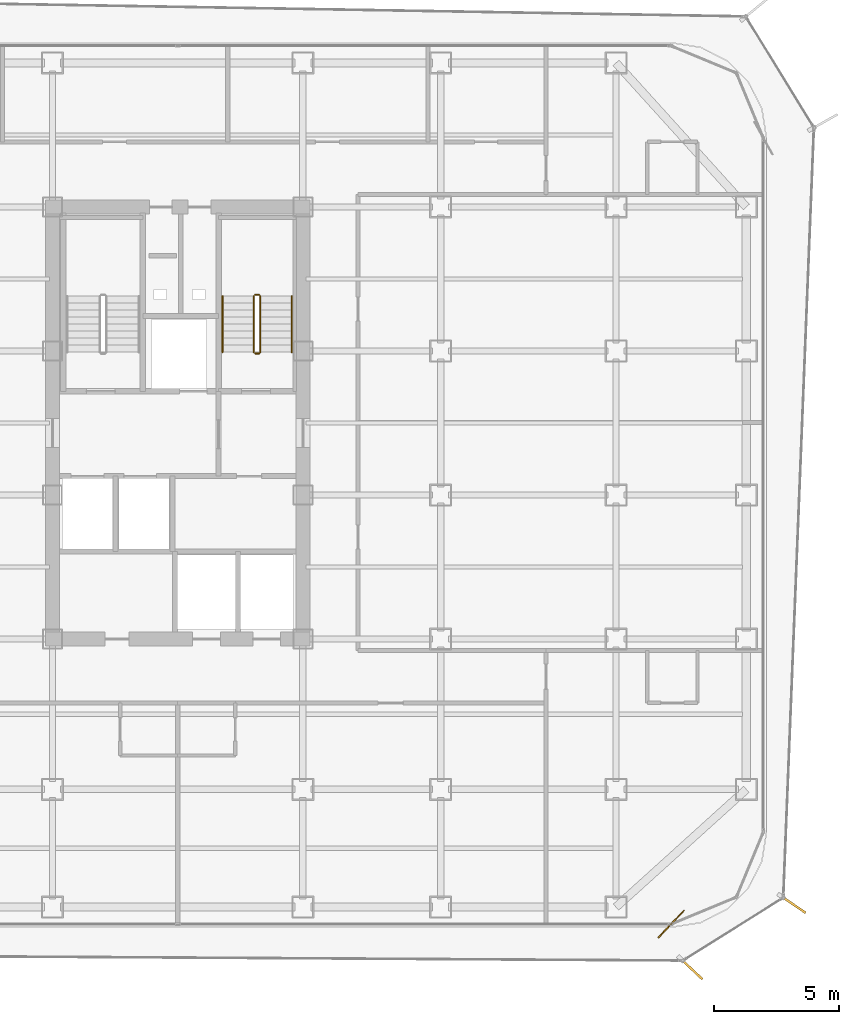
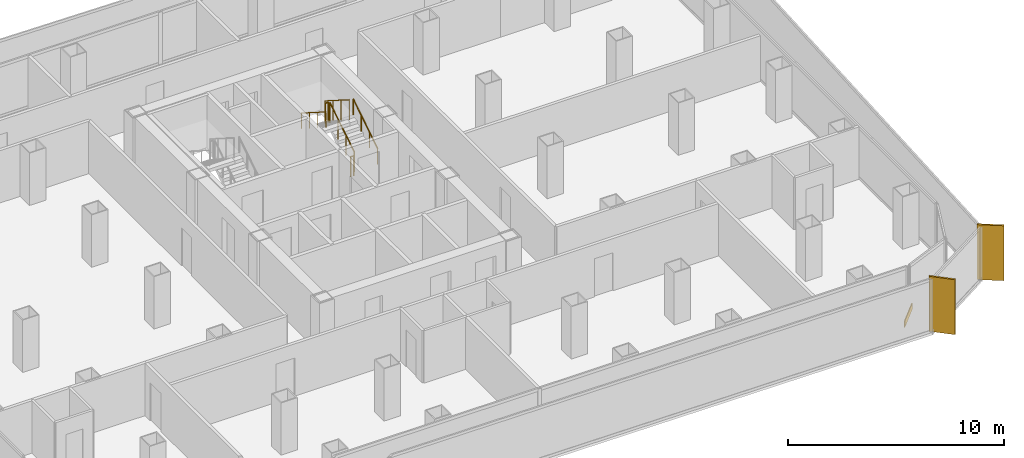
# One storey, part 20 of 21: 6 railings, 2 shading devices, 1 covering.
"""IFC4 building model written with IfcOpenShell, lengths in metres."""

import ifcopenshell
import ifcopenshell.guid

model = None  # the IFC model being written
_history = None  # IfcOwnerHistory: only IFC2X3 demands one
_inside = {}  # id of a spatial element -> (the spatial element, [elements in it])
_under = {}  # id of a project, library or spatial element -> (it, [spatial elements below it])
_declared = {}  # id of a project -> (the project, [libraries it declares])
_typed = {}  # id of a type object -> (the type object, [elements of that type])
_made_of = {}  # id of a material, layer set ... -> (it, [elements and type objects made of it])


def new_model(schema):
    """Start an empty IFC model of exactly this schema.

    Asked for "IFC4X3", IfcOpenShell would pick the latest addendum, in which some entities
    have other attributes; the version numbers below select the first issue.
    IFC2X3 requires an IfcOwnerHistory on every rooted entity: one is made here for all.
    """
    global model, _history
    if schema == "IFC4X3":
        model = ifcopenshell.file(schema_version=(4, 3, 0, 0))
    else:
        model = ifcopenshell.file(schema=schema)
    _inside.clear()
    _under.clear()
    _declared.clear()
    _typed.clear()
    _made_of.clear()
    _history = None
    if model.schema == "IFC2X3":
        org = make("IfcOrganization", Name="unknown")
        user = make(
            "IfcPersonAndOrganization",
            ThePerson=make("IfcPerson", FamilyName="unknown"),
            TheOrganization=org,
        )
        app = make(
            "IfcApplication",
            ApplicationDeveloper=org,
            Version="unknown",
            ApplicationFullName="unknown",
            ApplicationIdentifier="unknown",
        )
        _history = make(
            "IfcOwnerHistory",
            OwningUser=user,
            OwningApplication=app,
            ChangeAction="ADDED",
            CreationDate=0,
        )
    return model


def make(cls, **values):
    """One entity of the class cls with the attributes given. An attribute that is None is left unset."""
    return model.create_entity(
        cls, **{name: value for name, value in values.items() if value is not None}
    )


def rooted(cls, **values):
    """An entity with a GlobalId (a new one), such as an element, a storey or a relation."""
    return make(cls, GlobalId=ifcopenshell.guid.new(), OwnerHistory=_history, **values)


def si_unit(unit_type, name, prefix=None):
    """IfcSIUnit, for example si_unit("LENGTHUNIT", "METRE", prefix="MILLI")."""
    return make("IfcSIUnit", UnitType=unit_type, Prefix=prefix, Name=name)


def assignment(units):
    """IfcUnitAssignment: the units of a project."""
    return None if units is None else make("IfcUnitAssignment", Units=units)


def point(xyz):
    """IfcCartesianPoint."""
    return None if xyz is None else make("IfcCartesianPoint", Coordinates=xyz)


def direction(xyz):
    """IfcDirection."""
    return None if xyz is None else make("IfcDirection", DirectionRatios=xyz)


def frame(location, z_axis=None, x_axis=None):
    """IfcAxis2Placement3D, a coordinate frame: its origin and axes. An axis left out is left unset."""
    return make(
        "IfcAxis2Placement3D",
        Location=point(location),
        Axis=direction(z_axis),
        RefDirection=direction(x_axis),
    )


def frame_2d(location, x_axis=None):
    """IfcAxis2Placement2D, a coordinate frame in the plane: its origin and x axis."""
    return make(
        "IfcAxis2Placement2D", Location=point(location), RefDirection=direction(x_axis)
    )


def origin():
    """The frame at (0, 0, 0) with its axes left unset."""
    return frame((0.0, 0.0, 0.0))


def origin_2d():
    """The frame at (0, 0) in the plane with its x axis left unset."""
    return frame_2d((0.0, 0.0))


def place(relative_to, where):
    """IfcLocalPlacement: puts the frame where relative to a parent placement (None: the world)."""
    return make(
        "IfcLocalPlacement", PlacementRelTo=relative_to, RelativePlacement=where
    )


def context(
    kind, dimensions, precision=None, world=None, true_north=None, identifier=None
):
    """IfcGeometricRepresentationContext, for example the 3D "Model" context."""
    return make(
        "IfcGeometricRepresentationContext",
        ContextIdentifier=identifier,
        ContextType=kind,
        CoordinateSpaceDimension=dimensions,
        Precision=precision,
        WorldCoordinateSystem=world,
        TrueNorth=true_north,
    )


def subcontext(parent, identifier, kind, view, scale=None):
    """IfcGeometricRepresentationSubContext, for example "Body" below "Model"."""
    return make(
        "IfcGeometricRepresentationSubContext",
        ContextIdentifier=identifier,
        ContextType=kind,
        ParentContext=parent,
        TargetScale=scale,
        TargetView=view,
    )


def project(units=None, contexts=None):
    """IfcProject with its units and contexts."""
    return rooted(
        "IfcProject",
        Name="project",
        RepresentationContexts=contexts,
        UnitsInContext=assignment(units),
    )


def spatial(cls, under=None, at=None, **own):
    """A site, building, storey or space (cls), placed at a placement, below another one or the project."""
    s = rooted(cls, ObjectPlacement=at, **own)
    if under is not None:
        _under.setdefault(under.id(), (under, []))[1].append(s)
    return s


def profile(cls, at=None, kind="AREA", **sizes):
    """A parametric profile (cls). Its sizes go by their IFC names, for example OverallWidth=200.0."""
    return make(cls, ProfileType=kind, Position=at, **sizes)


def rectangle(**sizes):
    """IfcRectangleProfileDef."""
    return profile("IfcRectangleProfileDef", **sizes)


def circle(**sizes):
    """IfcCircleProfileDef."""
    return profile("IfcCircleProfileDef", **sizes)


def extrude(swept, where, along, depth):
    """IfcExtrudedAreaSolid: the profile swept, set in the frame where, extruded along a direction by depth."""
    return make(
        "IfcExtrudedAreaSolid",
        SweptArea=swept,
        Position=where,
        ExtrudedDirection=direction(along),
        Depth=depth,
    )


def shape(context_of_items, identifier, shape_type, items):
    """IfcShapeRepresentation: the items that make up one representation, for example the "Body"."""
    return make(
        "IfcShapeRepresentation",
        ContextOfItems=context_of_items,
        RepresentationIdentifier=identifier,
        RepresentationType=shape_type,
        Items=items,
    )


def source(mapping_origin, context_of_items, identifier, shape_type, items):
    """IfcRepresentationMap: a shape defined once, which mapped items show again and again."""
    return make(
        "IfcRepresentationMap",
        MappingOrigin=mapping_origin,
        MappedRepresentation=shape(context_of_items, identifier, shape_type, items),
    )


def transform(
    local_origin,
    x_axis=None,
    y_axis=None,
    z_axis=None,
    scale=None,
    scale2=None,
    scale3=None,
    uniform=True,
):
    """IfcCartesianTransformationOperator3D, or its non-uniform kind. x_axis, y_axis, z_axis: its Axis1, 2, 3."""
    if uniform:
        return make(
            "IfcCartesianTransformationOperator3D",
            Axis1=direction(x_axis),
            Axis2=direction(y_axis),
            LocalOrigin=point(local_origin),
            Scale=scale,
            Axis3=direction(z_axis),
        )
    return make(
        "IfcCartesianTransformationOperator3DnonUniform",
        Axis1=direction(x_axis),
        Axis2=direction(y_axis),
        LocalOrigin=point(local_origin),
        Scale=scale,
        Axis3=direction(z_axis),
        Scale2=scale2,
        Scale3=scale3,
    )


def mapped(mapping_source, mapping_target):
    """IfcMappedItem: shows the shape of a source again, moved by a transform."""
    return make(
        "IfcMappedItem", MappingSource=mapping_source, MappingTarget=mapping_target
    )


def material(Name=None, Category=None):
    """IfcMaterial."""
    return make("IfcMaterial", Name=Name, Category=Category)


def layer(
    of_material, thickness, ventilated=None, Name=None, Category=None, Priority=None
):
    """IfcMaterialLayer: one layer of a wall or slab, of a material (None: an air gap)."""
    return make(
        "IfcMaterialLayer",
        Material=of_material,
        LayerThickness=thickness,
        IsVentilated=ventilated,
        Name=Name,
        Category=Category,
        Priority=Priority,
    )


def layer_set(layers, Name=None):
    """IfcMaterialLayerSet."""
    return make("IfcMaterialLayerSet", MaterialLayers=layers, LayerSetName=Name)


def made_of(thing, what):
    """Note that an element or type object is made of a material, layer set ...; save() writes the relation."""
    if what is not None:
        _made_of.setdefault(what.id(), (what, []))[1].append(thing)
    return thing


def type_object(cls, material=None, **own):
    """A type object (cls), such as IfcWallType, which elements share."""
    return made_of(rooted(cls, **own), material)


def element(
    cls,
    number,
    at=None,
    inside=None,
    cuts=None,
    type_object=None,
    material=None,
    context=None,
    identifier="Body",
    shape_type=None,
    held_by="IfcProductDefinitionShape",
    body=None,
    shapes=None,
    **own,
):
    """One element of the class cls, such as IfcWall. Its Tag is "e" and its number.

    at: its placement. inside: the storey or other place that contains it. cuts: it is an
    opening in that element (IfcRelVoidsElement). A single representation is given by context,
    identifier, shape_type and body (its items); several are given by shapes. held_by: the class
    of the entity that holds the representations. save() writes the other relations.
    """
    e = rooted(cls, Tag="e%d" % number, ObjectPlacement=at, **own)
    if body is not None:
        shapes = [shape(context, identifier, shape_type, body)]
    if shapes is not None:
        e.Representation = make(held_by, Representations=shapes)
    if inside is not None:
        _inside.setdefault(inside.id(), (inside, []))[1].append(e)
    if cuts is not None:
        rooted(
            "IfcRelVoidsElement", RelatingBuildingElement=cuts, RelatedOpeningElement=e
        )
    if type_object is not None:
        _typed.setdefault(type_object.id(), (type_object, []))[1].append(e)
    return made_of(e, material)


def aggregate(whole, parts):
    """IfcRelAggregates: a whole, such as a stair, and the parts it consists of."""
    return rooted("IfcRelAggregates", RelatingObject=whole, RelatedObjects=parts)


def save(model, path):
    """Write the relations noted so far, then the file.

    IfcRelAggregates (storeys below a building ...), IfcRelContainedInSpatialStructure (elements
    in a storey), IfcRelDefinesByType, IfcRelAssociatesMaterial and IfcRelDeclares: one each for
    every whole, place, type object, material and project.
    """
    for whole, parts in _under.values():
        aggregate(whole, parts)
    for where, things in _inside.values():
        rooted(
            "IfcRelContainedInSpatialStructure",
            RelatedElements=things,
            RelatingStructure=where,
        )
    for kind, things in _typed.values():
        rooted("IfcRelDefinesByType", RelatedObjects=things, RelatingType=kind)
    for what, things in _made_of.values():
        rooted("IfcRelAssociatesMaterial", RelatedObjects=things, RelatingMaterial=what)
    for by, libraries in _declared.values():
        rooted("IfcRelDeclares", RelatingContext=by, RelatedDefinitions=libraries)
    model.write(path)


model = new_model("IFC4")

# Units and contexts
model_context = context("Model", 3, precision=1e-05, world=origin(), true_north=direction((0.0, 1.0)))
body_context = subcontext(model_context, "Body", "Model", "MODEL_VIEW")
ifc_project = project(units=[si_unit("LENGTHUNIT", "METRE"), si_unit("AREAUNIT", "SQUARE_METRE"), si_unit("VOLUMEUNIT", "CUBIC_METRE"), si_unit("PLANEANGLEUNIT", "RADIAN"), si_unit("MASSUNIT", "GRAM", prefix="KILO")], contexts=[model_context])

# Site, building, storey
site_placement = place(None, origin())
site = spatial("IfcSite", under=ifc_project, at=site_placement, CompositionType="ELEMENT")
building_placement = place(site_placement, origin())
building = spatial("IfcBuilding", under=site, at=building_placement, Name="Kolveth Station Tower", CompositionType="ELEMENT")
storey_placement = place(building_placement, frame((0.0, 0.0, 137.5)))
storey = spatial("IfcBuildingStorey", under=building, at=storey_placement, Name="L38", CompositionType="ELEMENT", Elevation=137.5)

# Railings
ifc_material_1 = material(Name="Painted Steel S355 balustrade", Category="steel")
railing_type_1 = type_object("IfcRailingType", Name="Guard_GR2", PredefinedType="BALUSTRADE", material=ifc_material_1)
railing_1_placement = place(storey_placement, frame((26.800048828125, 22.949951171875, 0.177734375)))
element("IfcRailing", 1, at=railing_1_placement, inside=storey, type_object=railing_type_1, Name="L38 ST2 stair guard 1", PredefinedType="BALUSTRADE", context=body_context, shape_type="SweptSolid", body=[
    extrude(circle(Radius=0.02392578125, at=origin_2d()), frame((0.0, 0.0, 1.1259765625), z_axis=(0.0, 0.84418770128, 0.536047689118), x_axis=(-1.0, 0.0, 0.0)), (0.0, 0.0, 1.0), 2.6533203125),
    extrude(circle(Radius=0.02099609375, at=origin_2d()), origin(), (0.0, 0.0, 1.0), 1.101806640625),
    extrude(circle(Radius=0.02099609375, at=origin_2d()), frame((0.0, 0.74658203125, 0.47412109375)), (0.0, 0.0, 1.0), 1.101806640625),
    extrude(circle(Radius=0.02099609375, at=origin_2d()), frame((0.0, 1.493408203125, 0.9482421875)), (0.0, 0.0, 1.0), 1.101806640625),
    extrude(circle(Radius=0.02099609375, at=origin_2d()), frame((0.0, 2.239990234375, 1.42236328125)), (0.0, 0.0, 1.0), 1.101806640625),
])
railing_2_placement = place(storey_placement, frame((26.75, 25.239990234375, 1.60009765625)))
element("IfcRailing", 2, at=railing_2_placement, inside=storey, type_object=railing_type_1, Name="L38 ST2 stair guard 2", PredefinedType="BALUSTRADE", context=body_context, shape_type="SweptSolid", body=[
    extrude(circle(Radius=0.02392578125, at=origin_2d()), frame((0.0, 0.0, 1.1259765625), z_axis=(-1.0, 0.0, 0.0), x_axis=(0.0, -1.0, 0.0)), (0.0, 0.0, 1.0), 0.159912109375),
    extrude(circle(Radius=0.02099609375, at=origin_2d()), origin(), (0.0, 0.0, 1.0), 1.101806640625),
    extrude(circle(Radius=0.02099609375, at=origin_2d()), frame((-0.159912109375, 0.0, 0.0)), (0.0, 0.0, 1.0), 1.101806640625),
])
railing_3_placement = place(storey_placement, frame((26.5400390625, 25.18994140625, 1.77783203125)))
element("IfcRailing", 3, at=railing_3_placement, inside=storey, type_object=railing_type_1, Name="L38 ST2 stair guard 3", PredefinedType="BALUSTRADE", context=body_context, shape_type="SweptSolid", body=[
    extrude(circle(Radius=0.02392578125, at=origin_2d()), frame((0.0, 0.0, 1.1259765625), z_axis=(0.0, -0.8442293374, 0.53598211339), x_axis=(1.0, 0.0, 0.0)), (0.0, 0.0, 1.0), 2.6533203125),
    extrude(circle(Radius=0.02099609375, at=origin_2d()), origin(), (0.0, 0.0, 1.0), 1.101806640625),
    extrude(circle(Radius=0.02099609375, at=origin_2d()), frame((0.0, -0.74658203125, 0.47412109375)), (0.0, 0.0, 1.0), 1.101806640625),
    extrude(circle(Radius=0.02099609375, at=origin_2d()), frame((0.0, -1.493408203125, 0.947998046875)), (0.0, 0.0, 1.0), 1.101806640625),
    extrude(circle(Radius=0.02099609375, at=origin_2d()), frame((0.0, -2.239990234375, 1.422119140625)), (0.0, 0.0, 1.0), 1.101806640625),
])
railing_4_placement = place(storey_placement, frame((26.75, 22.89990234375, 0.0)))
element("IfcRailing", 4, at=railing_4_placement, inside=storey, type_object=railing_type_1, Name="L38 ST2 stair guard 4", PredefinedType="BALUSTRADE", context=body_context, shape_type="SweptSolid", body=[
    extrude(circle(Radius=0.02392578125, at=origin_2d()), frame((0.0, 0.0, 1.1259765625), z_axis=(-1.0, 0.0, 0.0), x_axis=(0.0, -1.0, 0.0)), (0.0, 0.0, 1.0), 0.159912109375),
    extrude(circle(Radius=0.02099609375, at=origin_2d()), origin(), (0.0, 0.0, 1.0), 1.101806640625),
    extrude(circle(Radius=0.02099609375, at=origin_2d()), frame((-0.159912109375, 0.0, 0.0)), (0.0, 0.0, 1.0), 1.101806640625),
])
ifc_material_2 = material(Name="Brushed stainless steel", Category="steel")
railing_type_2 = type_object("IfcRailingType", Name="Handrail_HR1", PredefinedType="HANDRAIL", material=ifc_material_2)
railing_5_placement = place(storey_placement, frame((28.050048828125, 22.949951171875, 0.177734375)))
element("IfcRailing", 5, at=railing_5_placement, inside=storey, type_object=railing_type_2, Name="L38 ST2 stair handrail 1", PredefinedType="HANDRAIL", context=body_context, shape_type="SweptSolid", body=[
    extrude(circle(Radius=0.02392578125, at=origin_2d()), frame((0.0, 0.0, 0.8759765625), z_axis=(0.0, 0.84418770128, 0.536047689118), x_axis=(-1.0, 0.0, 0.0)), (0.0, 0.0, 1.0), 2.6533203125),
    extrude(circle(Radius=0.02099609375, at=origin_2d()), origin(), (0.0, 0.0, 1.0), 0.851806640625),
    extrude(circle(Radius=0.02099609375, at=origin_2d()), frame((0.0, 0.74658203125, 0.47412109375)), (0.0, 0.0, 1.0), 0.851806640625),
    extrude(circle(Radius=0.02099609375, at=origin_2d()), frame((0.0, 1.493408203125, 0.9482421875)), (0.0, 0.0, 1.0), 0.851806640625),
    extrude(circle(Radius=0.02099609375, at=origin_2d()), frame((0.0, 2.239990234375, 1.42236328125)), (0.0, 0.0, 1.0), 0.851806640625),
])
railing_6_placement = place(storey_placement, frame((25.2900390625, 25.18994140625, 1.77783203125)))
element("IfcRailing", 6, at=railing_6_placement, inside=storey, type_object=railing_type_2, Name="L38 ST2 stair handrail 2", PredefinedType="HANDRAIL", context=body_context, shape_type="SweptSolid", body=[
    extrude(circle(Radius=0.02392578125, at=origin_2d()), frame((0.0, 0.0, 0.8759765625), z_axis=(0.0, -0.8442293374, 0.53598211339), x_axis=(1.0, 0.0, 0.0)), (0.0, 0.0, 1.0), 2.6533203125),
    extrude(circle(Radius=0.02099609375, at=origin_2d()), origin(), (0.0, 0.0, 1.0), 0.851806640625),
    extrude(circle(Radius=0.02099609375, at=origin_2d()), frame((0.0, -0.74658203125, 0.47412109375)), (0.0, 0.0, 1.0), 0.851806640625),
    extrude(circle(Radius=0.02099609375, at=origin_2d()), frame((0.0, -1.493408203125, 0.947998046875)), (0.0, 0.0, 1.0), 0.851806640625),
    extrude(circle(Radius=0.02099609375, at=origin_2d()), frame((0.0, -2.239990234375, 1.422119140625)), (0.0, 0.0, 1.0), 0.851806640625),
])

# Shading devices
ifc_material_3 = material(Name="Black anodized aluminium 6063-T6", Category="aluminium")
shading_device_type = type_object("IfcShadingDeviceType", Name="FIN_VF1", PredefinedType="USERDEFINED", material=ifc_material_3)
shared_shape_1 = source(origin(), body_context, "Body", "SweptSolid", [
    extrude(rectangle(XDim=1.25, YDim=0.090087890625, at=origin_2d()), origin(), (0.0, 0.0, 1.0), 3.10009765625),
])
for number, where, z_axis, x_axis, name in (
    (7, (43.990966796875, -1.64990234375, 0.0), (0.0, 0.0, 1.0), (0.727892444455, -0.685691322174, 0.0), "L38 Dark-Aluminium Solar Fin 1"),
    (8, (48.052978515625, 0.9208984375, 0.0), (0.0, 0.0, 1.0), (0.826393242792, -0.563093427655, 0.0), "L38 Dark-Aluminium Solar Fin 2"),
):
    element("IfcShadingDevice", number, at=place(storey_placement, frame(where, z_axis=z_axis, x_axis=x_axis)), inside=storey, type_object=shading_device_type, Name=name, ObjectType="FIN", PredefinedType="USERDEFINED", context=body_context, shape_type="MappedRepresentation", body=[
        mapped(shared_shape_1, transform((0.0, 0.0, 0.0), x_axis=(1.0, 0.0, 0.0), y_axis=(0.0, 1.0, 0.0), z_axis=(0.0, 0.0, 1.0), scale=1.0)),
    ])

# Covering
ifc_material_4 = material(Name="Charcoal anodized aluminium spandrel cladding", Category="aluminium")
ifc_layer = layer(ifc_material_4, 0.044921875)
ifc_layer_set = layer_set([ifc_layer], Name="Charcoal anodized aluminium spandrel cladding")
covering_type = type_object("IfcCoveringType", Name="Clad_CD1", PredefinedType="CLADDING", material=ifc_layer_set)
shared_shape_2 = source(origin(), body_context, "Body", "SweptSolid", [
    extrude(rectangle(XDim=1.5, YDim=0.044921875, at=origin_2d()), origin(), (0.0, 0.0, 1.0), 0.360107421875),
])
covering_placement = place(storey_placement, frame((43.199951171875, 0.1201171875, 0.0), z_axis=(0.0, 0.0, 1.0), x_axis=(0.685691322174, 0.727892444455, 0.0)))
element("IfcCovering", 9, at=covering_placement, inside=storey, type_object=covering_type, Name="L38 Spandrel Edge Cladding 1", PredefinedType="CLADDING", context=body_context, shape_type="MappedRepresentation", body=[
    mapped(shared_shape_2, transform((0.0, 0.0, 0.0), x_axis=(1.0, 0.0, 0.0), y_axis=(0.0, 1.0, 0.0), z_axis=(0.0, 0.0, 1.0), scale=1.0)),
])

save(model, "model.ifc")
